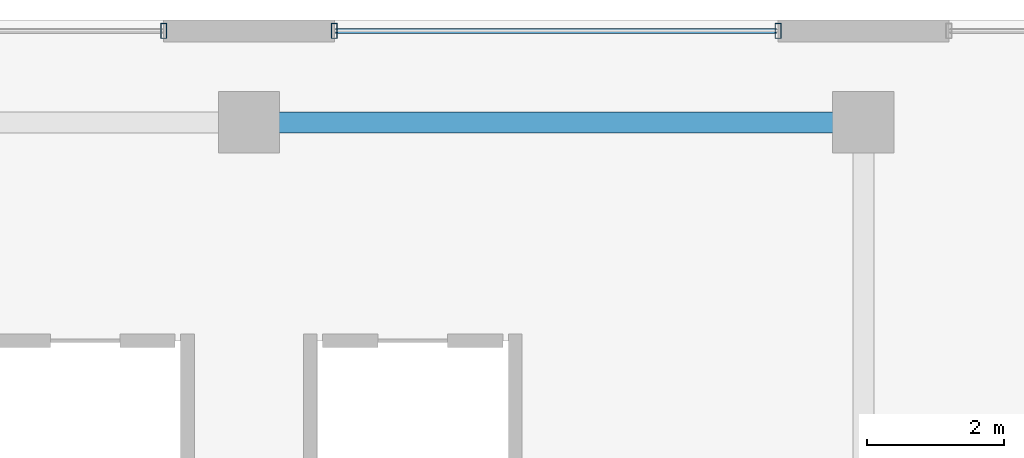
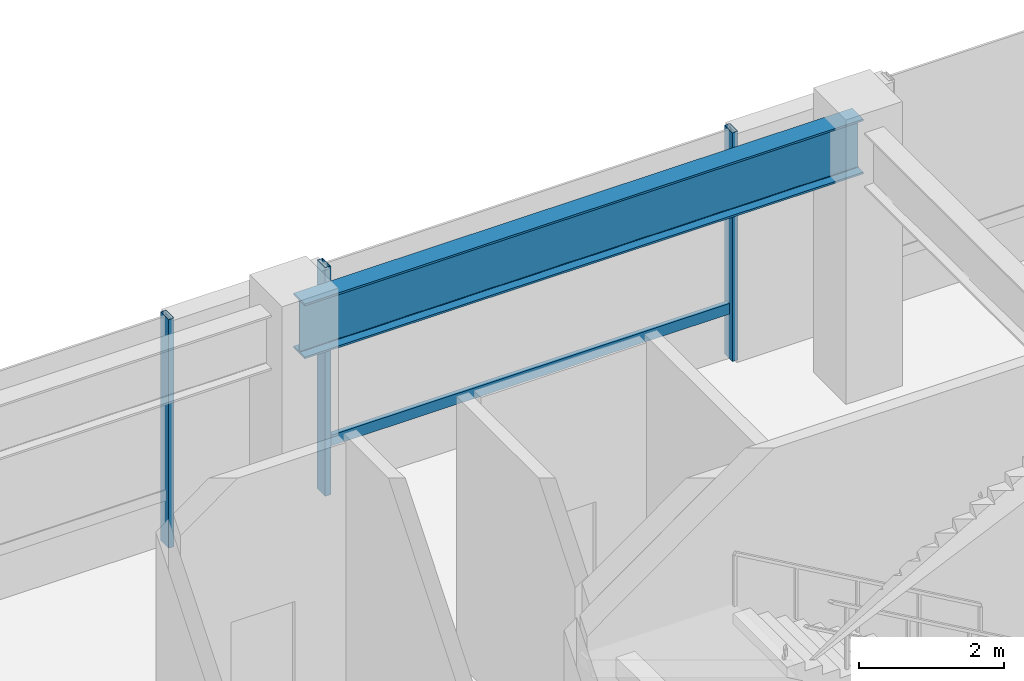
# One storey, part 7 of 24: 4 members, 1 beam, 2 elements without a shape of their own.
"""IFC4 building model written with IfcOpenShell, lengths in metres."""

from ifc_helpers import new_model, si_unit, direction, frame, origin, origin_2d, place, context, subcontext, project, spatial, hollow_rectangle, i_section, extrude, material, material_profile, profile_set, type_object, element, aggregate, save


model = new_model("IFC4")

# Units and contexts
model_context = context("Model", 3, precision=1e-05, world=origin(), true_north=direction((0.0, 1.0)))
body_context = subcontext(model_context, "Body", "Model", "MODEL_VIEW")
ifc_project = project(units=[si_unit("LENGTHUNIT", "METRE"), si_unit("AREAUNIT", "SQUARE_METRE"), si_unit("VOLUMEUNIT", "CUBIC_METRE"), si_unit("PLANEANGLEUNIT", "RADIAN"), si_unit("MASSUNIT", "GRAM", prefix="KILO")], contexts=[model_context])

# Site, building, storey
site_placement = place(None, origin())
site = spatial("IfcSite", under=ifc_project, at=site_placement, CompositionType="ELEMENT")
building_placement = place(site_placement, origin())
building = spatial("IfcBuilding", under=site, at=building_placement, Name="Thornwick Lancets Civic Towers", CompositionType="ELEMENT")
storey_placement = place(building_placement, origin())
storey = spatial("IfcBuildingStorey", under=building, at=storey_placement, Name="L00", CompositionType="ELEMENT", Elevation=0.0)

# Beam
ifc_material_1 = material(Name="Steel S355JR", Category="steel")
ifc_material_profile_1 = material_profile(ifc_material_1, i_section(OverallWidth=0.3076171875, OverallDepth=0.926513671875, WebThickness=0.01953125, FlangeThickness=0.031982421875, FilletRadius=0.01904296875, at=origin_2d()), Name="UKB 914x305x289")
ifc_profile_set_1 = profile_set([ifc_material_profile_1], Name="Steel S355JR")
beam_type = type_object("IfcBeamType", Name="BM_POD_914_289", PredefinedType="BEAM", material=ifc_profile_set_1)
beam_placement = place(storey_placement, frame((57.080078125, 48.0, 4.0166015625), z_axis=(1.0, 0.0, 0.0), x_axis=(0.0, 1.0, 0.0)))
element("IfcBeam", 1, at=beam_placement, inside=storey, type_object=beam_type, Name="BM-PODG-L00-18-19", PredefinedType="BEAM", context=body_context, shape_type="SweptSolid", body=[
    extrude(i_section(OverallWidth=0.3076171875, OverallDepth=0.926513671875, WebThickness=0.01953125, FlangeThickness=0.031982421875, FilletRadius=0.01904296875, at=origin_2d()), origin(), (0.0, 0.0, 1.0), 8.919921875),
])

# Curtain wall, members
ifc_material_2 = material(Name="Bronze aluminium Gothic lancet podium curtain wall", Category="aluminium")
curtain_wall_type = type_object("IfcCurtainWallType", Name="CW_SYS_01", PredefinedType="NOTDEFINED", material=ifc_material_2)
curtain_wall_1_placement = place(storey_placement, origin())
curtain_wall_1 = element("IfcCurtainWall", 2, at=curtain_wall_1_placement, inside=storey, type_object=curtain_wall_type, Name="L00 Curtain Wall CW-L00-POD-NC-S2", PredefinedType="NOTDEFINED")
ifc_material_3 = material(Name="Thermally broken bronze aluminium S355", Category="steel")
ifc_material_profile_2 = material_profile(ifc_material_3, hollow_rectangle(XDim=0.090087890625, YDim=0.219970703125, WallThickness=0.00634765625, at=origin_2d()), Name="RHS 220x90x6.3")
ifc_profile_set_2 = profile_set([ifc_material_profile_2], Name="Thermally broken bronze aluminium S355")
member_type_1 = type_object("IfcMemberType", Name="CW_MUL_220", PredefinedType="MULLION", material=ifc_profile_set_2)
member_1_placement = place(storey_placement, frame((64.75, 49.340087890625, 0.0), z_axis=(0.0, 0.0, 1.0), x_axis=(1.0, 0.0, 0.0)))
member_1 = element("IfcMember", 3, at=member_1_placement, type_object=member_type_1, Name="CW-L00-POD-NC-S2 Mullion 0", PredefinedType="MULLION", context=body_context, shape_type="SweptSolid", body=[
    extrude(hollow_rectangle(XDim=0.090087890625, YDim=0.219970703125, WallThickness=0.00634765625, at=origin_2d()), origin(), (0.0, 0.0, 1.0), 3.860107421875),
])
member_2_placement = place(storey_placement, frame((58.25, 49.340087890625, 0.0), z_axis=(0.0, 0.0, 1.0), x_axis=(1.0, 0.0, 0.0)))
member_2 = element("IfcMember", 4, at=member_2_placement, type_object=member_type_1, Name="CW-L00-POD-NC-S2 Mullion 1", PredefinedType="MULLION", context=body_context, shape_type="SweptSolid", body=[
    extrude(hollow_rectangle(XDim=0.090087890625, YDim=0.219970703125, WallThickness=0.00634765625, at=origin_2d()), origin(), (0.0, 0.0, 1.0), 3.860107421875),
])

# Curtain wall, member
curtain_wall_2_placement = place(storey_placement, origin())
curtain_wall_2 = element("IfcCurtainWall", 5, at=curtain_wall_2_placement, inside=storey, type_object=curtain_wall_type, Name="L00 Curtain Wall CW-L00-POD-NC-S3", PredefinedType="NOTDEFINED")
member_3_placement = place(storey_placement, frame((55.75, 49.340087890625, 0.0), z_axis=(0.0, 0.0, 1.0), x_axis=(1.0, 0.0, 0.0)))
member_3 = element("IfcMember", 6, at=member_3_placement, type_object=member_type_1, Name="CW-L00-POD-NC-S3 Mullion 0", PredefinedType="MULLION", context=body_context, shape_type="SweptSolid", body=[
    extrude(hollow_rectangle(XDim=0.090087890625, YDim=0.219970703125, WallThickness=0.00634765625, at=origin_2d()), origin(), (0.0, 0.0, 1.0), 3.860107421875),
])
aggregate(curtain_wall_2, [member_3])

# Member
ifc_material_profile_3 = material_profile(ifc_material_3, hollow_rectangle(XDim=0.074951171875, YDim=0.179931640625, WallThickness=0.006103515625, at=origin_2d()), Name="RHS 180x75x6")
ifc_profile_set_3 = profile_set([ifc_material_profile_3], Name="Thermally broken bronze aluminium S355")
member_type_2 = type_object("IfcMemberType", Name="CW_TRN_180", PredefinedType="USERDEFINED", material=ifc_profile_set_3)
member_4_placement = place(storey_placement, frame((64.72998046875, 49.340087890625, 0.85009765625), z_axis=(-1.0, 0.0, 0.0), x_axis=(0.0, -1.0, 0.0)))
member_4 = element("IfcMember", 7, at=member_4_placement, type_object=member_type_2, Name="CW-L00-POD-NC-S2 Transom 0", ObjectType="TRANSOM", PredefinedType="USERDEFINED", context=body_context, shape_type="SweptSolid", body=[
    extrude(hollow_rectangle(XDim=0.074951171875, YDim=0.179931640625, WallThickness=0.006103515625, at=origin_2d()), origin(), (0.0, 0.0, 1.0), 6.4599609375),
])

aggregate(curtain_wall_1, [member_1, member_2, member_4])

save(model, "model.ifc")
